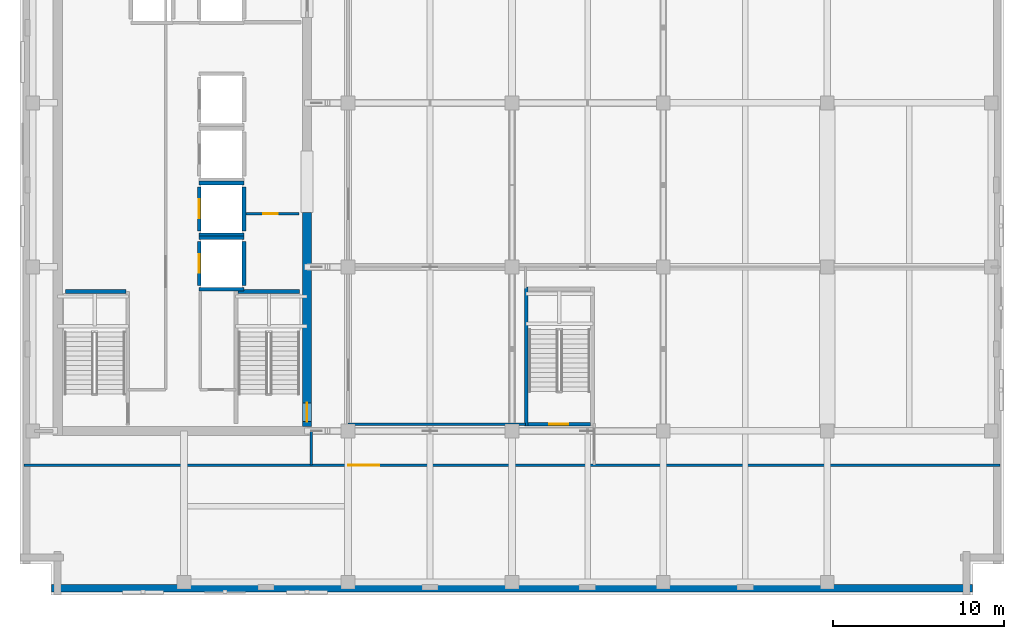
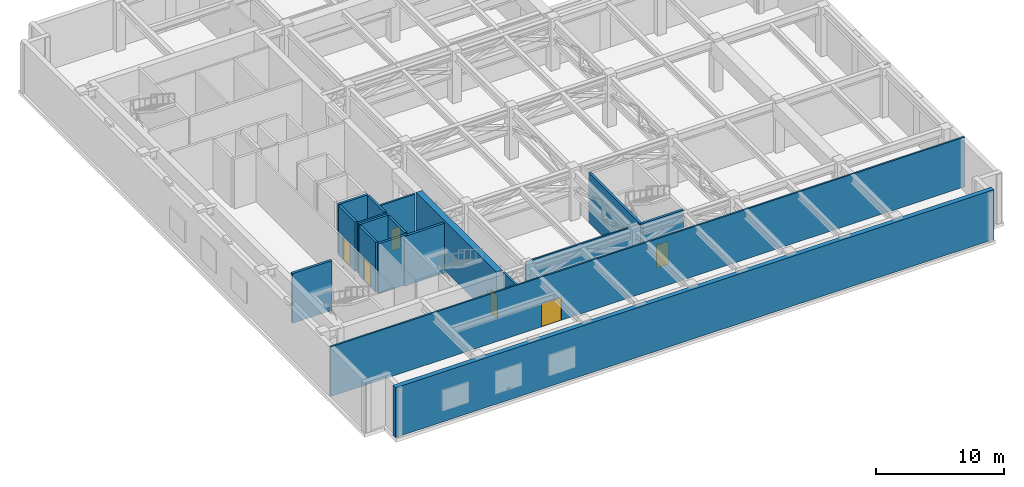
# One storey, part 12 of 19: 18 walls, 6 doors, 6 openings.
"""IFC4 building model written with IfcOpenShell, lengths in metres."""

from ifc_helpers import new_model, si_unit, direction, frame, frame_2d, origin, place, context, subcontext, project, spatial, rectangle, extrude, material, layer, layer_set, type_object, element, fill, save


model = new_model("IFC4")

# Units and contexts
model_context = context("Model", 3, precision=1e-05, world=origin(), true_north=direction((0.0, 1.0)))
body_context = subcontext(model_context, "Body", "Model", "MODEL_VIEW")
ifc_project = project(units=[si_unit("LENGTHUNIT", "METRE"), si_unit("AREAUNIT", "SQUARE_METRE"), si_unit("VOLUMEUNIT", "CUBIC_METRE"), si_unit("PLANEANGLEUNIT", "RADIAN"), si_unit("MASSUNIT", "GRAM", prefix="KILO")], contexts=[model_context])

# Site, building, storey
site_placement = place(None, origin())
site = spatial("IfcSite", under=ifc_project, at=site_placement, CompositionType="ELEMENT")
building_placement = place(site_placement, origin())
building = spatial("IfcBuilding", under=site, at=building_placement, Name="Norrvale University Quadrangle", CompositionType="ELEMENT")
storey_placement = place(building_placement, frame((0.0, 0.0, 256.0)))
storey = spatial("IfcBuildingStorey", under=building, at=storey_placement, Name="L65", CompositionType="ELEMENT", Elevation=256.0)

# Wall
ifc_material_1 = material(Name="Buff Norman Clay Brick Masonry", Category="masonry")
ifc_layer_1 = layer(ifc_material_1, 0.419921875, Name="Buff Norman Clay Brick Masonry")
ifc_layer_set_1 = layer_set([ifc_layer_1], Name="Buff Norman Clay Brick Masonry")
wall_type_1 = type_object("IfcWallType", Name="Wall Buff Brick 420", PredefinedType="SOLIDWALL", material=ifc_layer_set_1)
wall_1_placement = place(storey_placement, frame((1.840087890625, 0.389892578125, 0.0), z_axis=(0.0, 0.0, 1.0), x_axis=(1.0, 0.0, 0.0)))
element("IfcWall", 1, at=wall_1_placement, inside=storey, type_object=wall_type_1, Name="Exterior Brick Facade Wall L65-01.1", PredefinedType="SOLIDWALL", context=body_context, shape_type="SweptSolid", body=[
    extrude(rectangle(XDim=53.919921875, YDim=0.419921875, at=frame_2d((26.9599609375, 0.0))), origin(), (0.0, 0.0, 1.0), 4.739990234375),
])

# Wall, opening, door
ifc_material_2 = material(Name="Concrete C60/75", Category="concrete")
ifc_layer_2 = layer(ifc_material_2, 0.550048828125, Name="Concrete C60/75")
ifc_layer_set_2 = layer_set([ifc_layer_2], Name="Concrete C60/75")
wall_type_2 = type_object("IfcWallType", Name="Wall Core 550", PredefinedType="SHEAR", material=ifc_layer_set_2)
wall_2_placement = place(storey_placement, frame((16.800048828125, 9.875, 0.0), z_axis=(0.0, 0.0, 1.0), x_axis=(0.0, 1.0, 0.0)))
wall_2 = element("IfcWall", 2, at=wall_2_placement, inside=storey, type_object=wall_type_2, Name="Tower Core Shear Wall L65-E1", PredefinedType="SHEAR", context=body_context, shape_type="SweptSolid", body=[
    extrude(rectangle(XDim=12.52490234375, YDim=0.550048828125, at=frame_2d((6.262451171875, 0.0))), origin(), (0.0, 0.0, 1.0), 4.739990234375),
])
opening_1_placement = place(wall_2_placement, frame((0.264892578125, 0.0, 0.0)))
opening_1 = element("IfcOpeningElement", 3, at=opening_1_placement, cuts=wall_2, Name="Opening D02", PredefinedType="OPENING", context=body_context, shape_type="SweptSolid", body=[
    extrude(rectangle(XDim=1.10009765625, YDim=2.199951171875, at=frame_2d((0.550048828125, 1.10009765625))), frame((0.0, 0.287109375, 0.0), z_axis=(0.0, -1.0, 0.0), x_axis=(1.0, 0.0, 0.0)), (0.0, 0.0, 1.0), 0.573974609375),
])
ifc_material_3 = material(Name="Hollow Steel 350W Fire Door", Category="steel")
door_type_1 = type_object("IfcDoorType", Name="Door Stair Exit 1100x2200", OperationType="NOTDEFINED", PredefinedType="DOOR", material=ifc_material_3)
door_1_placement = place(opening_1_placement, origin())
door_1 = element("IfcDoor", 4, at=door_1_placement, inside=storey, type_object=door_type_1, Name="Door Stair Exit 1100x2200 DR-L65-ST03", OperationType="SINGLE_SWING_LEFT", OverallHeight=2.199951171875, OverallWidth=1.10009765625, PredefinedType="DOOR", context=body_context, shape_type="SweptSolid", body=[
    extrude(rectangle(XDim=1.10009765625, YDim=2.199951171875, at=frame_2d((0.550048828125, 1.10009765625))), frame((0.0, 0.02490234375, 0.0), z_axis=(0.0, -1.0, 0.0), x_axis=(1.0, 0.0, 0.0)), (0.0, 0.0, 1.0), 0.050048828125),
])
fill(opening_1, door_1)

ifc_material_4 = material(Name="Fire-Rated Gypsum Stud Partition")
ifc_layer_3 = layer(ifc_material_4, 0.14990234375, Name="Fire-Rated Gypsum Stud Partition")
ifc_layer_set_3 = layer_set([ifc_layer_3], Name="Fire-Rated Gypsum Stud Partition")
wall_type_3 = type_object("IfcWallType", Name="Wall Gypsum Corridor 150", PredefinedType="PARTITIONING", material=ifc_layer_set_3)
wall_3_placement = place(storey_placement, frame((13.22509765625, 22.320068359375, 0.0), z_axis=(0.0, 0.0, 1.0), x_axis=(1.0, 0.0, 0.0)))
wall_3 = element("IfcWall", 5, at=wall_3_placement, inside=storey, type_object=wall_type_3, Name="Interior Partition WL-L65-JAN-N", PredefinedType="PARTITIONING", context=body_context, shape_type="SweptSolid", body=[
    extrude(rectangle(XDim=3.119873046875, YDim=0.14990234375, at=frame_2d((1.56005859375, 0.0))), origin(), (0.0, 0.0, 1.0), 4.739990234375),
])
opening_2_placement = place(wall_3_placement, frame((1.0, 0.0, 0.0)))
opening_2 = element("IfcOpeningElement", 6, at=opening_2_placement, cuts=wall_3, Name="Opening D10", PredefinedType="OPENING", context=body_context, shape_type="SweptSolid", body=[
    extrude(rectangle(XDim=0.85009765625, YDim=2.10009765625, at=frame_2d((0.425048828125, 1.050048828125))), frame((0.0, 0.0869140625, 0.0), z_axis=(0.0, -1.0, 0.0), x_axis=(1.0, 0.0, 0.0)), (0.0, 0.0, 1.0), 0.173828125),
])
ifc_material_5 = material(Name="Hollow Steel 350W Riser Fire Door", Category="steel")
door_type_2 = type_object("IfcDoorType", Name="Door Riser 850x2100", OperationType="NOTDEFINED", PredefinedType="DOOR", material=ifc_material_5)
door_2_placement = place(opening_2_placement, origin())
door_2 = element("IfcDoor", 7, at=door_2_placement, inside=storey, type_object=door_type_2, Name="Door Riser 850x2100 DR-L65-JAN", OperationType="SINGLE_SWING_LEFT", OverallHeight=2.10009765625, OverallWidth=0.85009765625, PredefinedType="DOOR", context=body_context, shape_type="SweptSolid", body=[
    extrude(rectangle(XDim=0.85009765625, YDim=2.10009765625, at=frame_2d((0.425048828125, 1.050048828125))), frame((0.0, 0.02490234375, 0.0), z_axis=(0.0, -1.0, 0.0), x_axis=(1.0, 0.0, 0.0)), (0.0, 0.0, 1.0), 0.050048828125),
])
fill(opening_2, door_2)

# Wall
wall_4_placement = place(storey_placement, frame((17.050048828125, 7.60009765625, 0.0), z_axis=(0.0, 0.0, 1.0), x_axis=(0.0, 1.0, 0.0)))
element("IfcWall", 8, at=wall_4_placement, inside=storey, type_object=wall_type_3, Name="Interior Partition WL-L65-PCSW", PredefinedType="PARTITIONING", context=body_context, shape_type="SweptSolid", body=[
    extrude(rectangle(XDim=2.0, YDim=0.14990234375, at=frame_2d((1.0, 0.0))), origin(), (0.0, 0.0, 1.0), 4.739990234375),
])

# Wall, opening, door
wall_5_placement = place(storey_placement, frame((0.219970703125, 7.60009765625, 0.0), z_axis=(0.0, 0.0, 1.0), x_axis=(1.0, 0.0, 0.0)))
wall_5 = element("IfcWall", 9, at=wall_5_placement, inside=storey, type_object=wall_type_3, Name="Interior Partition WL-L65-PMP-N", PredefinedType="PARTITIONING", context=body_context, shape_type="SweptSolid", body=[
    extrude(rectangle(XDim=57.159912109375, YDim=0.14990234375, at=frame_2d((28.580078125, 0.0))), origin(), (0.0, 0.0, 1.0), 4.739990234375),
])
opening_3_placement = place(wall_5_placement, frame((19.0, 0.0, 0.0)))
opening_3 = element("IfcOpeningElement", 10, at=opening_3_placement, cuts=wall_5, Name="Opening D03", PredefinedType="OPENING", context=body_context, shape_type="SweptSolid", body=[
    extrude(rectangle(XDim=1.800048828125, YDim=2.199951171875, at=frame_2d((0.89990234375, 1.10009765625))), frame((0.0, 0.0869140625, 0.0), z_axis=(0.0, -1.0, 0.0), x_axis=(1.0, 0.0, 0.0)), (0.0, 0.0, 1.0), 0.173828125),
])
door_type_3 = type_object("IfcDoorType", Name="Door Fire Lobby 1800x2200", OperationType="DOUBLE_DOOR_SINGLE_SWING", PredefinedType="DOOR", material=ifc_material_3)
door_3_placement = place(opening_3_placement, origin())
door_3 = element("IfcDoor", 11, at=door_3_placement, inside=storey, type_object=door_type_3, Name="Door Fire Lobby 1800x2200 DR-L65-PMP1", OperationType="DOUBLE_DOOR_SINGLE_SWING", OverallHeight=2.199951171875, OverallWidth=1.800048828125, PredefinedType="DOOR", context=body_context, shape_type="SweptSolid", body=[
    extrude(rectangle(XDim=1.800048828125, YDim=2.199951171875, at=frame_2d((0.89990234375, 1.10009765625))), frame((0.0, 0.02490234375, 0.0), z_axis=(0.0, -1.0, 0.0), x_axis=(1.0, 0.0, 0.0)), (0.0, 0.0, 1.0), 0.050048828125),
])
fill(opening_3, door_3)

# Walls
wall_6_placement = place(storey_placement, frame((19.199951171875, 9.97998046875, 0.0), z_axis=(0.0, 0.0, 1.0), x_axis=(1.0, 0.0, 0.0)))
element("IfcWall", 12, at=wall_6_placement, inside=storey, type_object=wall_type_3, Name="Interior Partition WL-L65-SUB-S", PredefinedType="PARTITIONING", context=body_context, shape_type="SweptSolid", body=[
    extrude(rectangle(XDim=10.380126953125, YDim=0.14990234375, at=frame_2d((5.18994140625, 0.0))), origin(), (0.0, 0.0, 1.0), 4.739990234375),
])
ifc_material_6 = material(Name="Concrete Blockwork 20 MPa Fire Shaft", Category="masonry")
ifc_layer_4 = layer(ifc_material_6, 0.219970703125, Name="Concrete Blockwork 20 MPa Fire Shaft")
ifc_layer_set_4 = layer_set([ifc_layer_4], Name="Concrete Blockwork 20 MPa Fire Shaft")
wall_type_4 = type_object("IfcWallType", Name="Wall Shaft 220", PredefinedType="SOLIDWALL", material=ifc_layer_set_4)
wall_7_placement = place(storey_placement, frame((2.64990234375, 17.760009765625, 0.0), z_axis=(0.0, 0.0, 1.0), x_axis=(1.0, 0.0, 0.0)))
element("IfcWall", 13, at=wall_7_placement, inside=storey, type_object=wall_type_4, Name="Stair ST-01 North Shaft Wall L65", PredefinedType="SOLIDWALL", context=body_context, shape_type="SweptSolid", body=[
    extrude(rectangle(XDim=3.550048828125, YDim=0.219970703125, at=frame_2d((1.77490234375, 0.0))), origin(), (0.0, 0.0, 1.0), 4.739990234375),
])
wall_8_placement = place(storey_placement, frame((12.75, 17.760009765625, 0.0), z_axis=(0.0, 0.0, 1.0), x_axis=(1.0, 0.0, 0.0)))
element("IfcWall", 14, at=wall_8_placement, inside=storey, type_object=wall_type_4, Name="Stair ST-03 North Shaft Wall L65", PredefinedType="SOLIDWALL", context=body_context, shape_type="SweptSolid", body=[
    extrude(rectangle(XDim=3.60009765625, YDim=0.219970703125, at=frame_2d((1.800048828125, 0.0))), origin(), (0.0, 0.0, 1.0), 4.739990234375),
])

# Wall, opening, door
wall_9_placement = place(storey_placement, frame((29.75, 9.989990234375, 0.0), z_axis=(0.0, 0.0, 1.0), x_axis=(1.0, 0.0, 0.0)))
wall_9 = element("IfcWall", 15, at=wall_9_placement, inside=storey, type_object=wall_type_4, Name="Stair ST-04 South Shaft Wall L65", PredefinedType="SOLIDWALL", context=body_context, shape_type="SweptSolid", body=[
    extrude(rectangle(XDim=3.64990234375, YDim=0.219970703125, at=frame_2d((1.824951171875, 0.0))), origin(), (0.0, 0.0, 1.0), 4.739990234375),
])
opening_4_placement = place(wall_9_placement, frame((1.239990234375, 0.0, 0.0)))
opening_4 = element("IfcOpeningElement", 16, at=opening_4_placement, cuts=wall_9, Name="Opening D02", PredefinedType="OPENING", context=body_context, shape_type="SweptSolid", body=[
    extrude(rectangle(XDim=1.10009765625, YDim=2.199951171875, at=frame_2d((0.550048828125, 1.10009765625))), frame((0.0, 0.1220703125, 0.0), z_axis=(0.0, -1.0, 0.0), x_axis=(1.0, 0.0, 0.0)), (0.0, 0.0, 1.0), 0.243896484375),
])
door_4_placement = place(opening_4_placement, origin())
door_4 = element("IfcDoor", 17, at=door_4_placement, inside=storey, type_object=door_type_1, Name="Door Stair Exit 1100x2200 DR-L65-ST04", OperationType="SINGLE_SWING_LEFT", OverallHeight=2.199951171875, OverallWidth=1.10009765625, PredefinedType="DOOR", context=body_context, shape_type="SweptSolid", body=[
    extrude(rectangle(XDim=1.10009765625, YDim=2.199951171875, at=frame_2d((0.550048828125, 1.10009765625))), frame((0.0, 0.02490234375, 0.0), z_axis=(0.0, -1.0, 0.0), x_axis=(1.0, 0.0, 0.0)), (0.0, 0.0, 1.0), 0.050048828125),
])
fill(opening_4, door_4)

# Wall
wall_10_placement = place(storey_placement, frame((29.639892578125, 9.8798828125, 0.0), z_axis=(0.0, 0.0, 1.0), x_axis=(0.0, 1.0, 0.0)))
element("IfcWall", 18, at=wall_10_placement, inside=storey, type_object=wall_type_4, Name="Stair ST-04 West Shaft Wall L65", PredefinedType="SOLIDWALL", context=body_context, shape_type="SweptSolid", body=[
    extrude(rectangle(XDim=8.14013671875, YDim=0.219970703125, at=frame_2d((4.070068359375, 0.0))), origin(), (0.0, 0.0, 1.0), 4.739990234375),
])

# Wall, opening, door
wall_11_placement = place(storey_placement, frame((10.489990234375, 18.110107421875, 0.0), z_axis=(0.0, 0.0, 1.0), x_axis=(0.0, 1.0, 0.0)))
wall_11 = element("IfcWall", 19, at=wall_11_placement, inside=storey, type_object=wall_type_4, Name="Hoistway PL-05 West Wall L65", PredefinedType="SOLIDWALL", context=body_context, shape_type="SweptSolid", body=[
    extrude(rectangle(XDim=2.579833984375, YDim=0.219970703125, at=frame_2d((1.2900390625, 0.0))), origin(), (0.0, 0.0, 1.0), 4.739990234375),
])
opening_5_placement = place(wall_11_placement, frame((0.739990234375, 0.0, 0.0)))
opening_5 = element("IfcOpeningElement", 20, at=opening_5_placement, cuts=wall_11, Name="Opening LD1", PredefinedType="OPENING", context=body_context, shape_type="SweptSolid", body=[
    extrude(rectangle(XDim=1.10009765625, YDim=2.199951171875, at=frame_2d((0.550048828125, 1.10009765625))), frame((0.0, 0.1220703125, 0.0), z_axis=(0.0, -1.0, 0.0), x_axis=(1.0, 0.0, 0.0)), (0.0, 0.0, 1.0), 0.243896484375),
])
ifc_material_7 = material(Name="Stainless Steel 316L Lift Landing Door", Category="steel")
door_type_4 = type_object("IfcDoorType", Name="Door Lift Landing 1100x2200", OperationType="DOUBLE_DOOR_SLIDING", PredefinedType="DOOR", material=ifc_material_7)
door_5_placement = place(opening_5_placement, origin())
door_5 = element("IfcDoor", 21, at=door_5_placement, inside=storey, type_object=door_type_4, Name="Elevator Landing Door DR-L65-PL-05", OperationType="DOUBLE_DOOR_SLIDING", OverallHeight=2.199951171875, OverallWidth=1.10009765625, PredefinedType="DOOR", context=body_context, shape_type="SweptSolid", body=[
    extrude(rectangle(XDim=1.10009765625, YDim=2.199951171875, at=frame_2d((0.550048828125, 1.10009765625))), frame((0.0, 0.02490234375, 0.0), z_axis=(0.0, -1.0, 0.0), x_axis=(1.0, 0.0, 0.0)), (0.0, 0.0, 1.0), 0.050048828125),
])
fill(opening_5, door_5)

# Walls
wall_12_placement = place(storey_placement, frame((13.110107421875, 18.110107421875, 0.0), z_axis=(0.0, 0.0, 1.0), x_axis=(0.0, 1.0, 0.0)))
element("IfcWall", 22, at=wall_12_placement, inside=storey, type_object=wall_type_4, Name="Hoistway PL-05 East Wall L65", PredefinedType="SOLIDWALL", context=body_context, shape_type="SweptSolid", body=[
    extrude(rectangle(XDim=2.579833984375, YDim=0.219970703125, at=frame_2d((1.2900390625, 0.0))), origin(), (0.0, 0.0, 1.0), 4.739990234375),
])
for number, where, z_axis, x_axis, name in (
    (23, (10.489990234375, 17.889892578125, 0.0), (0.0, 0.0, 1.0), (1.0, 0.0, 0.0), "Hoistway PL-05 South Wall L65"),
    (24, (10.489990234375, 20.909912109375, 0.0), (0.0, 0.0, 1.0), (1.0, 0.0, 0.0), "Hoistway PL-05 North Wall L65"),
):
    element("IfcWall", number, at=place(storey_placement, frame(where, z_axis=z_axis, x_axis=x_axis)), inside=storey, type_object=wall_type_4, Name=name, PredefinedType="SOLIDWALL", context=body_context, shape_type="SweptSolid", body=[
        extrude(rectangle(XDim=2.6201171875, YDim=0.219970703125, at=frame_2d((1.31005859375, 0.0))), origin(), (0.0, 0.0, 1.0), 4.739990234375),
    ])

# Wall, opening, door
wall_13_placement = place(storey_placement, frame((10.489990234375, 21.31005859375, 0.0), z_axis=(0.0, 0.0, 1.0), x_axis=(0.0, 1.0, 0.0)))
wall_13 = element("IfcWall", 25, at=wall_13_placement, inside=storey, type_object=wall_type_4, Name="Hoistway PL-06 West Wall L65", PredefinedType="SOLIDWALL", context=body_context, shape_type="SweptSolid", body=[
    extrude(rectangle(XDim=2.579833984375, YDim=0.219970703125, at=frame_2d((1.2900390625, 0.0))), origin(), (0.0, 0.0, 1.0), 4.739990234375),
])
opening_6_placement = place(wall_13_placement, frame((0.739990234375, 0.0, 0.0)))
opening_6 = element("IfcOpeningElement", 26, at=opening_6_placement, cuts=wall_13, Name="Opening LD1", PredefinedType="OPENING", context=body_context, shape_type="SweptSolid", body=[
    extrude(rectangle(XDim=1.10009765625, YDim=2.199951171875, at=frame_2d((0.550048828125, 1.10009765625))), frame((0.0, 0.1220703125, 0.0), z_axis=(0.0, -1.0, 0.0), x_axis=(1.0, 0.0, 0.0)), (0.0, 0.0, 1.0), 0.243896484375),
])
door_6_placement = place(opening_6_placement, origin())
door_6 = element("IfcDoor", 27, at=door_6_placement, inside=storey, type_object=door_type_4, Name="Elevator Landing Door DR-L65-PL-06", OperationType="DOUBLE_DOOR_SLIDING", OverallHeight=2.199951171875, OverallWidth=1.10009765625, PredefinedType="DOOR", context=body_context, shape_type="SweptSolid", body=[
    extrude(rectangle(XDim=1.10009765625, YDim=2.199951171875, at=frame_2d((0.550048828125, 1.10009765625))), frame((0.0, 0.02490234375, 0.0), z_axis=(0.0, -1.0, 0.0), x_axis=(1.0, 0.0, 0.0)), (0.0, 0.0, 1.0), 0.050048828125),
])
fill(opening_6, door_6)

# Walls
wall_14_placement = place(storey_placement, frame((13.110107421875, 21.31005859375, 0.0), z_axis=(0.0, 0.0, 1.0), x_axis=(0.0, 1.0, 0.0)))
element("IfcWall", 28, at=wall_14_placement, inside=storey, type_object=wall_type_4, Name="Hoistway PL-06 East Wall L65", PredefinedType="SOLIDWALL", context=body_context, shape_type="SweptSolid", body=[
    extrude(rectangle(XDim=2.579833984375, YDim=0.219970703125, at=frame_2d((1.2900390625, 0.0))), origin(), (0.0, 0.0, 1.0), 4.739990234375),
])
for number, where, z_axis, x_axis, name in (
    (29, (10.489990234375, 21.090087890625, 0.0), (0.0, 0.0, 1.0), (1.0, 0.0, 0.0), "Hoistway PL-06 South Wall L65"),
    (30, (10.489990234375, 24.110107421875, 0.0), (0.0, 0.0, 1.0), (1.0, 0.0, 0.0), "Hoistway PL-06 North Wall L65"),
):
    element("IfcWall", number, at=place(storey_placement, frame(where, z_axis=z_axis, x_axis=x_axis)), inside=storey, type_object=wall_type_4, Name=name, PredefinedType="SOLIDWALL", context=body_context, shape_type="SweptSolid", body=[
        extrude(rectangle(XDim=2.6201171875, YDim=0.219970703125, at=frame_2d((1.31005859375, 0.0))), origin(), (0.0, 0.0, 1.0), 4.739990234375),
    ])

save(model, "model.ifc")
